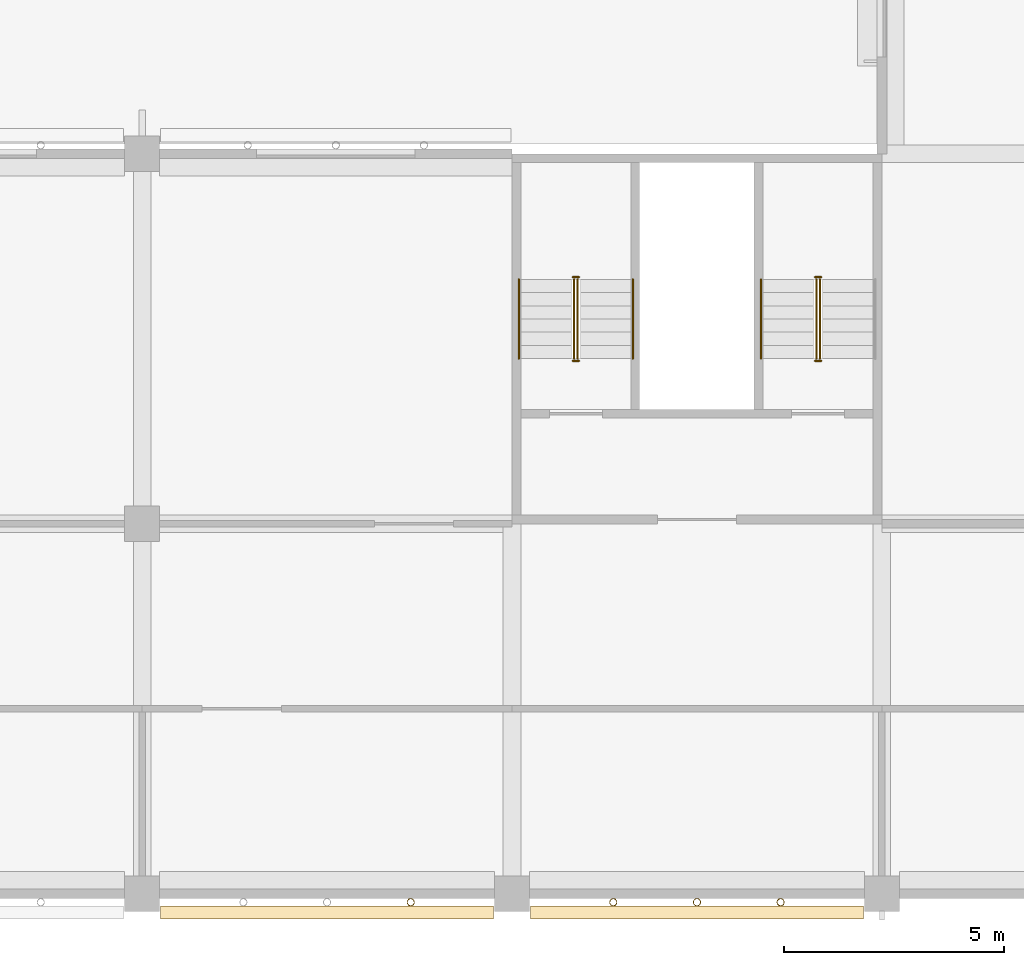
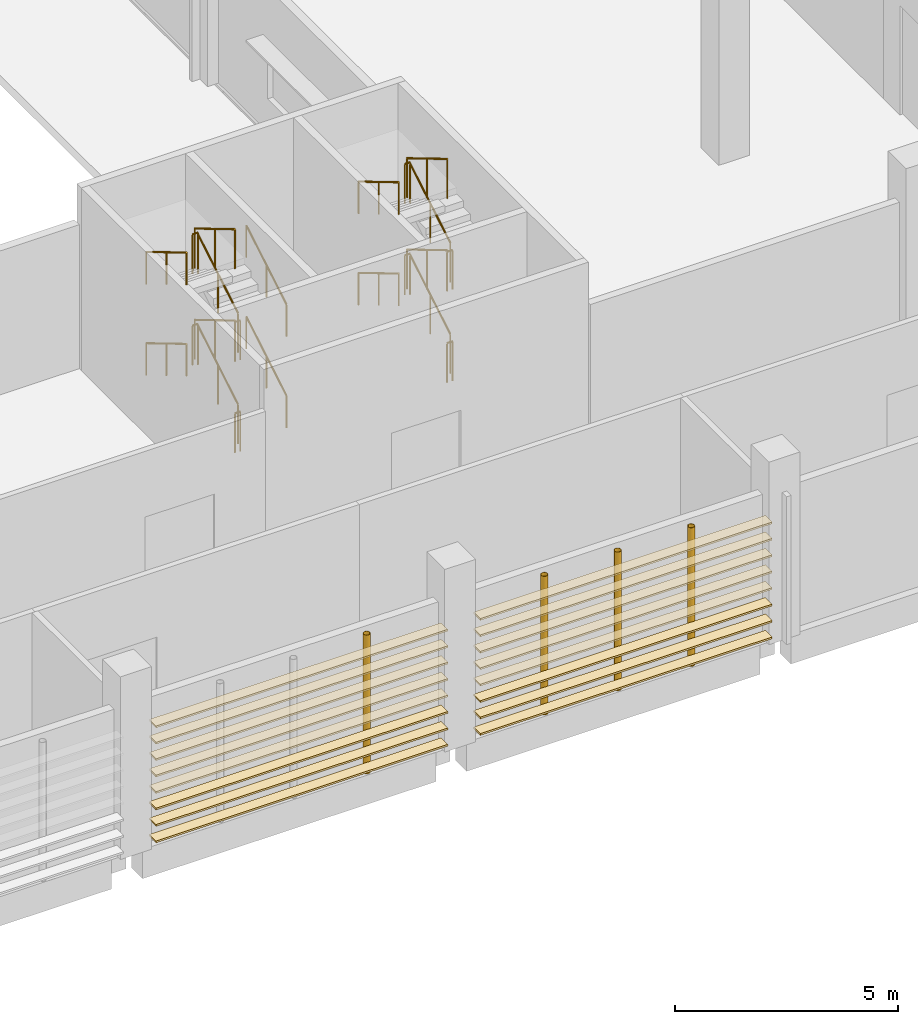
# One storey, part 73 of 101: 22 railings, 16 coverings, 4 shading devices.
"""IFC4 building model written with IfcOpenShell, lengths in metres."""

from ifc_helpers import new_model, si_unit, direction, frame, origin, origin_2d, place, context, subcontext, project, spatial, rectangle, circle, hollow_circle, extrude, material, material_profile, profile_set, type_object, element, save


model = new_model("IFC4")

# Units and contexts
model_context = context("Model", 3, precision=1e-05, world=origin(), true_north=direction((0.0, 1.0)))
body_context = subcontext(model_context, "Body", "Model", "MODEL_VIEW")
ifc_project = project(units=[si_unit("LENGTHUNIT", "METRE"), si_unit("AREAUNIT", "SQUARE_METRE"), si_unit("VOLUMEUNIT", "CUBIC_METRE"), si_unit("PLANEANGLEUNIT", "RADIAN"), si_unit("MASSUNIT", "GRAM", prefix="KILO")], contexts=[model_context])

# Site, building, storey
site_placement = place(None, origin())
site = spatial("IfcSite", under=ifc_project, at=site_placement, CompositionType="ELEMENT")
building_placement = place(site_placement, origin())
building = spatial("IfcBuilding", under=site, at=building_placement, Name="Almond Square Museum", CompositionType="ELEMENT")
storey_placement = place(building_placement, frame((0.0, 0.0, 5.5)))
storey = spatial("IfcBuildingStorey", under=building, at=storey_placement, Name="L01", CompositionType="ELEMENT", Elevation=5.5)

# Shading devices
ifc_material_1 = material(Name="Structural steel S355", Category="steel")
ifc_material_profile_1 = material_profile(ifc_material_1, hollow_circle(Radius=0.084228515625, WallThickness=0.008056640625, at=origin_2d()))
ifc_profile_set_1 = profile_set([ifc_material_profile_1], Name="Structural steel S355")
shading_device_type = type_object("IfcShadingDeviceType", Name="Louvre post CHS 168.3 x 8", PredefinedType="USERDEFINED", material=ifc_profile_set_1)
for number, where, z_axis, x_axis, name in (
    (1, (121.300048828125, -0.194091796875, 0.0), (0.0, 0.0, 1.0), (1.0, 0.0, 0.0), "Louvre screen post"),
    (2, (125.89990234375, -0.194091796875, 0.0), (0.0, 0.0, 1.0), (1.0, 0.0, 0.0), "Louvre screen post"),
    (3, (127.800048828125, -0.194091796875, 0.0), (0.0, 0.0, 1.0), (1.0, 0.0, 0.0), "Louvre screen post"),
    (4, (129.699951171875, -0.194091796875, 0.0), (0.0, 0.0, 1.0), (1.0, 0.0, 0.0), "Louvre screen post"),
):
    element("IfcShadingDevice", number, at=place(storey_placement, frame(where, z_axis=z_axis, x_axis=x_axis)), inside=storey, type_object=shading_device_type, Name=name, ObjectType="POST", PredefinedType="USERDEFINED", context=body_context, shape_type="SweptSolid", body=[
        extrude(hollow_circle(Radius=0.084228515625, WallThickness=0.008056640625, at=origin_2d()), origin(), (0.0, 0.0, 1.0), 3.800048828125),
    ])

# Coverings
ifc_material_2 = material(Name="Cedar timber louvre board", Category="wood")
ifc_material_profile_2 = material_profile(ifc_material_2, rectangle(XDim=0.300048828125, YDim=0.050048828125, at=origin_2d()))
ifc_profile_set_2 = profile_set([ifc_material_profile_2], Name="Cedar timber louvre board")
covering_type = type_object("IfcCoveringType", Name="Louvre screen board 300 x 50", PredefinedType="CLADDING", material=ifc_profile_set_2)
for number, where, z_axis, x_axis, name in (
    (5, (115.6201171875, -0.42431640625, 0.300048828125), (1.0, 0.0, 0.0), (0.0, 1.0, 0.0), "Louvre screen board"),
    (6, (115.6201171875, -0.42431640625, 0.75), (1.0, 0.0, 0.0), (0.0, 1.0, 0.0), "Louvre screen board"),
    (7, (115.6201171875, -0.42431640625, 1.199951171875), (1.0, 0.0, 0.0), (0.0, 1.0, 0.0), "Louvre screen board"),
    (8, (115.6201171875, -0.42431640625, 1.64990234375), (1.0, 0.0, 0.0), (0.0, 1.0, 0.0), "Louvre screen board"),
    (9, (115.6201171875, -0.42431640625, 2.10009765625), (1.0, 0.0, 0.0), (0.0, 1.0, 0.0), "Louvre screen board"),
    (10, (115.6201171875, -0.42431640625, 2.550048828125), (1.0, 0.0, 0.0), (0.0, 1.0, 0.0), "Louvre screen board"),
    (11, (115.6201171875, -0.42431640625, 3.0), (1.0, 0.0, 0.0), (0.0, 1.0, 0.0), "Louvre screen board"),
    (12, (115.6201171875, -0.42431640625, 3.449951171875), (1.0, 0.0, 0.0), (0.0, 1.0, 0.0), "Louvre screen board"),
):
    element("IfcCovering", number, at=place(storey_placement, frame(where, z_axis=z_axis, x_axis=x_axis)), inside=storey, type_object=covering_type, Name=name, PredefinedType="CLADDING", context=body_context, shape_type="SweptSolid", body=[
        extrude(rectangle(XDim=0.300048828125, YDim=0.050048828125, at=origin_2d()), origin(), (0.0, 0.0, 1.0), 7.559814453125),
    ])
for number, where, z_axis, x_axis, name in (
    (13, (124.02001953125, -0.42431640625, 0.300048828125), (1.0, 0.0, 0.0), (0.0, 1.0, 0.0), "Louvre screen board"),
    (14, (124.02001953125, -0.42431640625, 0.75), (1.0, 0.0, 0.0), (0.0, 1.0, 0.0), "Louvre screen board"),
    (15, (124.02001953125, -0.42431640625, 1.199951171875), (1.0, 0.0, 0.0), (0.0, 1.0, 0.0), "Louvre screen board"),
    (16, (124.02001953125, -0.42431640625, 1.64990234375), (1.0, 0.0, 0.0), (0.0, 1.0, 0.0), "Louvre screen board"),
    (17, (124.02001953125, -0.42431640625, 2.10009765625), (1.0, 0.0, 0.0), (0.0, 1.0, 0.0), "Louvre screen board"),
    (18, (124.02001953125, -0.42431640625, 2.550048828125), (1.0, 0.0, 0.0), (0.0, 1.0, 0.0), "Louvre screen board"),
    (19, (124.02001953125, -0.42431640625, 3.0), (1.0, 0.0, 0.0), (0.0, 1.0, 0.0), "Louvre screen board"),
    (20, (124.02001953125, -0.42431640625, 3.449951171875), (1.0, 0.0, 0.0), (0.0, 1.0, 0.0), "Louvre screen board"),
):
    element("IfcCovering", number, at=place(storey_placement, frame(where, z_axis=z_axis, x_axis=x_axis)), inside=storey, type_object=covering_type, Name=name, PredefinedType="CLADDING", context=body_context, shape_type="SweptSolid", body=[
        extrude(rectangle(XDim=0.300048828125, YDim=0.050048828125, at=origin_2d()), origin(), (0.0, 0.0, 1.0), 7.56005859375),
    ])

# Railings
ifc_material_3 = material(Name="Stainless steel and laminated glass", Category="steel")
railing_type_1 = type_object("IfcRailingType", Name="Stair guard 1100 steel and glass", PredefinedType="GUARDRAIL", material=ifc_material_3)
railing_1_placement = place(storey_placement, frame((125.090087890625, 12.14990234375, 0.178466796875)))
element("IfcRailing", 21, at=railing_1_placement, inside=storey, type_object=railing_type_1, Name="L01 ST-31 stair guard 1", PredefinedType="GUARDRAIL", context=body_context, shape_type="SweptSolid", body=[
    extrude(circle(Radius=0.02392578125, at=origin_2d()), frame((0.0, 0.0, 1.076171875), z_axis=(0.0, 0.859277029364, 0.511510495305), x_axis=(-1.0, 0.0, 0.0)), (0.0, 0.0, 1.0), 2.0947265625),
    extrude(circle(Radius=0.02099609375, at=origin_2d()), origin(), (0.0, 0.0, 1.0), 1.052001953125),
    extrude(circle(Radius=0.02099609375, at=origin_2d()), frame((0.0, 0.89990234375, 0.53564453125)), (0.0, 0.0, 1.0), 1.052001953125),
    extrude(circle(Radius=0.02099609375, at=origin_2d()), frame((0.0, 1.800048828125, 1.071533203125)), (0.0, 0.0, 1.0), 1.052001953125),
])
railing_2_placement = place(storey_placement, frame((125.1201171875, 14.0, 1.25)))
element("IfcRailing", 22, at=railing_2_placement, inside=storey, type_object=railing_type_1, Name="L01 ST-31 stair guard 2", PredefinedType="GUARDRAIL", context=body_context, shape_type="SweptSolid", body=[
    extrude(circle(Radius=0.02392578125, at=origin_2d()), frame((0.0, 0.0, 1.076171875), z_axis=(-1.0, 0.0, 0.0), x_axis=(0.0, -1.0, 0.0)), (0.0, 0.0, 1.0), 0.14013671875),
    extrude(circle(Radius=0.02099609375, at=origin_2d()), origin(), (0.0, 0.0, 1.0), 1.052001953125),
    extrude(circle(Radius=0.02099609375, at=origin_2d()), frame((-0.14013671875, 0.0, 0.0)), (0.0, 0.0, 1.0), 1.052001953125),
])
railing_3_placement = place(storey_placement, frame((125.010009765625, 13.949951171875, 1.428466796875)))
element("IfcRailing", 23, at=railing_3_placement, inside=storey, type_object=railing_type_1, Name="L01 ST-31 stair guard 3", PredefinedType="GUARDRAIL", context=body_context, shape_type="SweptSolid", body=[
    extrude(circle(Radius=0.02392578125, at=origin_2d()), frame((0.0, 0.0, 1.076171875), z_axis=(0.0, -0.859277029364, 0.511510495305), x_axis=(1.0, 0.0, 0.0)), (0.0, 0.0, 1.0), 2.0947265625),
    extrude(circle(Radius=0.02099609375, at=origin_2d()), origin(), (0.0, 0.0, 1.0), 1.052001953125),
    extrude(circle(Radius=0.02099609375, at=origin_2d()), frame((0.0, -0.89990234375, 0.53564453125)), (0.0, 0.0, 1.0), 1.052001953125),
    extrude(circle(Radius=0.02099609375, at=origin_2d()), frame((0.0, -1.800048828125, 1.071533203125)), (0.0, 0.0, 1.0), 1.052001953125),
])
railing_4_placement = place(storey_placement, frame((125.1201171875, 12.10009765625, 2.5)))
element("IfcRailing", 24, at=railing_4_placement, inside=storey, type_object=railing_type_1, Name="L01 ST-31 stair guard 4", PredefinedType="GUARDRAIL", context=body_context, shape_type="SweptSolid", body=[
    extrude(circle(Radius=0.02392578125, at=origin_2d()), frame((0.0, 0.0, 1.076171875), z_axis=(-1.0, 0.0, 0.0), x_axis=(0.0, -1.0, 0.0)), (0.0, 0.0, 1.0), 0.14013671875),
    extrude(circle(Radius=0.02099609375, at=origin_2d()), origin(), (0.0, 0.0, 1.0), 1.052001953125),
    extrude(circle(Radius=0.02099609375, at=origin_2d()), frame((-0.14013671875, 0.0, 0.0)), (0.0, 0.0, 1.0), 1.052001953125),
])
railing_5_placement = place(storey_placement, frame((125.090087890625, 12.14990234375, 2.678466796875)))
element("IfcRailing", 25, at=railing_5_placement, inside=storey, type_object=railing_type_1, Name="L01 ST-31 stair guard 5", PredefinedType="GUARDRAIL", context=body_context, shape_type="SweptSolid", body=[
    extrude(circle(Radius=0.02392578125, at=origin_2d()), frame((0.0, 0.0, 1.076171875), z_axis=(0.0, 0.859277029364, 0.511510495305), x_axis=(-1.0, 0.0, 0.0)), (0.0, 0.0, 1.0), 2.0947265625),
    extrude(circle(Radius=0.02099609375, at=origin_2d()), origin(), (0.0, 0.0, 1.0), 1.052001953125),
    extrude(circle(Radius=0.02099609375, at=origin_2d()), frame((0.0, 0.89990234375, 0.53564453125)), (0.0, 0.0, 1.0), 1.052001953125),
    extrude(circle(Radius=0.02099609375, at=origin_2d()), frame((0.0, 1.800048828125, 1.071533203125)), (0.0, 0.0, 1.0), 1.052001953125),
])
railing_6_placement = place(storey_placement, frame((125.1201171875, 14.0, 3.75)))
element("IfcRailing", 26, at=railing_6_placement, inside=storey, type_object=railing_type_1, Name="L01 ST-31 stair guard 6", PredefinedType="GUARDRAIL", context=body_context, shape_type="SweptSolid", body=[
    extrude(circle(Radius=0.02392578125, at=origin_2d()), frame((0.0, 0.0, 1.076171875), z_axis=(-1.0, 0.0, 0.0), x_axis=(0.0, -1.0, 0.0)), (0.0, 0.0, 1.0), 0.14013671875),
    extrude(circle(Radius=0.02099609375, at=origin_2d()), origin(), (0.0, 0.0, 1.0), 1.052001953125),
    extrude(circle(Radius=0.02099609375, at=origin_2d()), frame((-0.14013671875, 0.0, 0.0)), (0.0, 0.0, 1.0), 1.052001953125),
])
railing_7_placement = place(storey_placement, frame((125.010009765625, 13.949951171875, 3.928466796875)))
element("IfcRailing", 27, at=railing_7_placement, inside=storey, type_object=railing_type_1, Name="L01 ST-31 stair guard 7", PredefinedType="GUARDRAIL", context=body_context, shape_type="SweptSolid", body=[
    extrude(circle(Radius=0.02392578125, at=origin_2d()), frame((0.0, 0.0, 1.076171875), z_axis=(0.0, -0.859277029364, 0.511510495305), x_axis=(1.0, 0.0, 0.0)), (0.0, 0.0, 1.0), 2.0947265625),
    extrude(circle(Radius=0.02099609375, at=origin_2d()), origin(), (0.0, 0.0, 1.0), 1.052001953125),
    extrude(circle(Radius=0.02099609375, at=origin_2d()), frame((0.0, -0.89990234375, 0.53564453125)), (0.0, 0.0, 1.0), 1.052001953125),
    extrude(circle(Radius=0.02099609375, at=origin_2d()), frame((0.0, -1.800048828125, 1.071533203125)), (0.0, 0.0, 1.0), 1.052001953125),
])
railing_8_placement = place(storey_placement, frame((125.1201171875, 12.10009765625, 0.0)))
element("IfcRailing", 28, at=railing_8_placement, inside=storey, type_object=railing_type_1, Name="L01 ST-31 stair guard 8", PredefinedType="GUARDRAIL", context=body_context, shape_type="SweptSolid", body=[
    extrude(circle(Radius=0.02392578125, at=origin_2d()), frame((0.0, 0.0, 1.076171875), z_axis=(-1.0, 0.0, 0.0), x_axis=(0.0, -1.0, 0.0)), (0.0, 0.0, 1.0), 0.14013671875),
    extrude(circle(Radius=0.02099609375, at=origin_2d()), origin(), (0.0, 0.0, 1.0), 1.052001953125),
    extrude(circle(Radius=0.02099609375, at=origin_2d()), frame((-0.14013671875, 0.0, 0.0)), (0.0, 0.0, 1.0), 1.052001953125),
])
railing_9_placement = place(storey_placement, frame((130.590087890625, 12.14990234375, 0.178466796875)))
element("IfcRailing", 29, at=railing_9_placement, inside=storey, type_object=railing_type_1, Name="L01 ST-32 stair guard 1", PredefinedType="GUARDRAIL", context=body_context, shape_type="SweptSolid", body=[
    extrude(circle(Radius=0.02392578125, at=origin_2d()), frame((0.0, 0.0, 1.076171875), z_axis=(0.0, 0.859277029364, 0.511510495305), x_axis=(-1.0, 0.0, 0.0)), (0.0, 0.0, 1.0), 2.0947265625),
    extrude(circle(Radius=0.02099609375, at=origin_2d()), origin(), (0.0, 0.0, 1.0), 1.052001953125),
    extrude(circle(Radius=0.02099609375, at=origin_2d()), frame((0.0, 0.89990234375, 0.53564453125)), (0.0, 0.0, 1.0), 1.052001953125),
    extrude(circle(Radius=0.02099609375, at=origin_2d()), frame((0.0, 1.800048828125, 1.071533203125)), (0.0, 0.0, 1.0), 1.052001953125),
])
railing_10_placement = place(storey_placement, frame((130.6201171875, 14.0, 1.25)))
element("IfcRailing", 30, at=railing_10_placement, inside=storey, type_object=railing_type_1, Name="L01 ST-32 stair guard 2", PredefinedType="GUARDRAIL", context=body_context, shape_type="SweptSolid", body=[
    extrude(circle(Radius=0.02392578125, at=origin_2d()), frame((0.0, 0.0, 1.076171875), z_axis=(-1.0, 0.0, 0.0), x_axis=(0.0, -1.0, 0.0)), (0.0, 0.0, 1.0), 0.14013671875),
    extrude(circle(Radius=0.02099609375, at=origin_2d()), origin(), (0.0, 0.0, 1.0), 1.052001953125),
    extrude(circle(Radius=0.02099609375, at=origin_2d()), frame((-0.14013671875, 0.0, 0.0)), (0.0, 0.0, 1.0), 1.052001953125),
])
railing_11_placement = place(storey_placement, frame((130.510009765625, 13.949951171875, 1.428466796875)))
element("IfcRailing", 31, at=railing_11_placement, inside=storey, type_object=railing_type_1, Name="L01 ST-32 stair guard 3", PredefinedType="GUARDRAIL", context=body_context, shape_type="SweptSolid", body=[
    extrude(circle(Radius=0.02392578125, at=origin_2d()), frame((0.0, 0.0, 1.076171875), z_axis=(0.0, -0.859277029364, 0.511510495305), x_axis=(1.0, 0.0, 0.0)), (0.0, 0.0, 1.0), 2.0947265625),
    extrude(circle(Radius=0.02099609375, at=origin_2d()), origin(), (0.0, 0.0, 1.0), 1.052001953125),
    extrude(circle(Radius=0.02099609375, at=origin_2d()), frame((0.0, -0.89990234375, 0.53564453125)), (0.0, 0.0, 1.0), 1.052001953125),
    extrude(circle(Radius=0.02099609375, at=origin_2d()), frame((0.0, -1.800048828125, 1.071533203125)), (0.0, 0.0, 1.0), 1.052001953125),
])
railing_12_placement = place(storey_placement, frame((130.6201171875, 12.10009765625, 2.5)))
element("IfcRailing", 32, at=railing_12_placement, inside=storey, type_object=railing_type_1, Name="L01 ST-32 stair guard 4", PredefinedType="GUARDRAIL", context=body_context, shape_type="SweptSolid", body=[
    extrude(circle(Radius=0.02392578125, at=origin_2d()), frame((0.0, 0.0, 1.076171875), z_axis=(-1.0, 0.0, 0.0), x_axis=(0.0, -1.0, 0.0)), (0.0, 0.0, 1.0), 0.14013671875),
    extrude(circle(Radius=0.02099609375, at=origin_2d()), origin(), (0.0, 0.0, 1.0), 1.052001953125),
    extrude(circle(Radius=0.02099609375, at=origin_2d()), frame((-0.14013671875, 0.0, 0.0)), (0.0, 0.0, 1.0), 1.052001953125),
])
railing_13_placement = place(storey_placement, frame((130.590087890625, 12.14990234375, 2.678466796875)))
element("IfcRailing", 33, at=railing_13_placement, inside=storey, type_object=railing_type_1, Name="L01 ST-32 stair guard 5", PredefinedType="GUARDRAIL", context=body_context, shape_type="SweptSolid", body=[
    extrude(circle(Radius=0.02392578125, at=origin_2d()), frame((0.0, 0.0, 1.076171875), z_axis=(0.0, 0.859277029364, 0.511510495305), x_axis=(-1.0, 0.0, 0.0)), (0.0, 0.0, 1.0), 2.0947265625),
    extrude(circle(Radius=0.02099609375, at=origin_2d()), origin(), (0.0, 0.0, 1.0), 1.052001953125),
    extrude(circle(Radius=0.02099609375, at=origin_2d()), frame((0.0, 0.89990234375, 0.53564453125)), (0.0, 0.0, 1.0), 1.052001953125),
    extrude(circle(Radius=0.02099609375, at=origin_2d()), frame((0.0, 1.800048828125, 1.071533203125)), (0.0, 0.0, 1.0), 1.052001953125),
])
railing_14_placement = place(storey_placement, frame((130.6201171875, 14.0, 3.75)))
element("IfcRailing", 34, at=railing_14_placement, inside=storey, type_object=railing_type_1, Name="L01 ST-32 stair guard 6", PredefinedType="GUARDRAIL", context=body_context, shape_type="SweptSolid", body=[
    extrude(circle(Radius=0.02392578125, at=origin_2d()), frame((0.0, 0.0, 1.076171875), z_axis=(-1.0, 0.0, 0.0), x_axis=(0.0, -1.0, 0.0)), (0.0, 0.0, 1.0), 0.14013671875),
    extrude(circle(Radius=0.02099609375, at=origin_2d()), origin(), (0.0, 0.0, 1.0), 1.052001953125),
    extrude(circle(Radius=0.02099609375, at=origin_2d()), frame((-0.14013671875, 0.0, 0.0)), (0.0, 0.0, 1.0), 1.052001953125),
])
railing_15_placement = place(storey_placement, frame((130.510009765625, 13.949951171875, 3.928466796875)))
element("IfcRailing", 35, at=railing_15_placement, inside=storey, type_object=railing_type_1, Name="L01 ST-32 stair guard 7", PredefinedType="GUARDRAIL", context=body_context, shape_type="SweptSolid", body=[
    extrude(circle(Radius=0.02392578125, at=origin_2d()), frame((0.0, 0.0, 1.076171875), z_axis=(0.0, -0.859277029364, 0.511510495305), x_axis=(1.0, 0.0, 0.0)), (0.0, 0.0, 1.0), 2.0947265625),
    extrude(circle(Radius=0.02099609375, at=origin_2d()), origin(), (0.0, 0.0, 1.0), 1.052001953125),
    extrude(circle(Radius=0.02099609375, at=origin_2d()), frame((0.0, -0.89990234375, 0.53564453125)), (0.0, 0.0, 1.0), 1.052001953125),
    extrude(circle(Radius=0.02099609375, at=origin_2d()), frame((0.0, -1.800048828125, 1.071533203125)), (0.0, 0.0, 1.0), 1.052001953125),
])
railing_16_placement = place(storey_placement, frame((130.6201171875, 12.10009765625, 0.0)))
element("IfcRailing", 36, at=railing_16_placement, inside=storey, type_object=railing_type_1, Name="L01 ST-32 stair guard 8", PredefinedType="GUARDRAIL", context=body_context, shape_type="SweptSolid", body=[
    extrude(circle(Radius=0.02392578125, at=origin_2d()), frame((0.0, 0.0, 1.076171875), z_axis=(-1.0, 0.0, 0.0), x_axis=(0.0, -1.0, 0.0)), (0.0, 0.0, 1.0), 0.14013671875),
    extrude(circle(Radius=0.02099609375, at=origin_2d()), origin(), (0.0, 0.0, 1.0), 1.052001953125),
    extrude(circle(Radius=0.02099609375, at=origin_2d()), frame((-0.14013671875, 0.0, 0.0)), (0.0, 0.0, 1.0), 1.052001953125),
])
ifc_material_4 = material(Name="Stainless steel", Category="steel")
railing_type_2 = type_object("IfcRailingType", Name="Stair handrail 900 steel", PredefinedType="HANDRAIL", material=ifc_material_4)
railing_17_placement = place(storey_placement, frame((126.344970703125, 12.14990234375, 0.178466796875)))
element("IfcRailing", 37, at=railing_17_placement, inside=storey, type_object=railing_type_2, Name="L01 ST-31 stair handrail 1", PredefinedType="HANDRAIL", context=body_context, shape_type="SweptSolid", body=[
    extrude(circle(Radius=0.02392578125, at=origin_2d()), frame((0.0, 0.0, 0.8759765625), z_axis=(0.0, 0.859277029364, 0.511510495305), x_axis=(-1.0, 0.0, 0.0)), (0.0, 0.0, 1.0), 2.0947265625),
    extrude(circle(Radius=0.02099609375, at=origin_2d()), origin(), (0.0, 0.0, 1.0), 0.851806640625),
    extrude(circle(Radius=0.02099609375, at=origin_2d()), frame((0.0, 0.89990234375, 0.53564453125)), (0.0, 0.0, 1.0), 0.851806640625),
    extrude(circle(Radius=0.02099609375, at=origin_2d()), frame((0.0, 1.800048828125, 1.071533203125)), (0.0, 0.0, 1.0), 0.851806640625),
])
railing_18_placement = place(storey_placement, frame((123.7548828125, 13.949951171875, 1.428466796875)))
element("IfcRailing", 38, at=railing_18_placement, inside=storey, type_object=railing_type_2, Name="L01 ST-31 stair handrail 2", PredefinedType="HANDRAIL", context=body_context, shape_type="SweptSolid", body=[
    extrude(circle(Radius=0.02392578125, at=origin_2d()), frame((0.0, 0.0, 0.8759765625), z_axis=(0.0, -0.859277029364, 0.511510495305), x_axis=(1.0, 0.0, 0.0)), (0.0, 0.0, 1.0), 2.0947265625),
    extrude(circle(Radius=0.02099609375, at=origin_2d()), origin(), (0.0, 0.0, 1.0), 0.851806640625),
    extrude(circle(Radius=0.02099609375, at=origin_2d()), frame((0.0, -0.89990234375, 0.53564453125)), (0.0, 0.0, 1.0), 0.851806640625),
    extrude(circle(Radius=0.02099609375, at=origin_2d()), frame((0.0, -1.800048828125, 1.071533203125)), (0.0, 0.0, 1.0), 0.851806640625),
])
railing_19_placement = place(storey_placement, frame((126.344970703125, 12.14990234375, 2.678466796875)))
element("IfcRailing", 39, at=railing_19_placement, inside=storey, type_object=railing_type_2, Name="L01 ST-31 stair handrail 3", PredefinedType="HANDRAIL", context=body_context, shape_type="SweptSolid", body=[
    extrude(circle(Radius=0.02392578125, at=origin_2d()), frame((0.0, 0.0, 0.8759765625), z_axis=(0.0, 0.859277029364, 0.511510495305), x_axis=(-1.0, 0.0, 0.0)), (0.0, 0.0, 1.0), 2.0947265625),
    extrude(circle(Radius=0.02099609375, at=origin_2d()), origin(), (0.0, 0.0, 1.0), 0.851806640625),
    extrude(circle(Radius=0.02099609375, at=origin_2d()), frame((0.0, 0.89990234375, 0.53564453125)), (0.0, 0.0, 1.0), 0.851806640625),
    extrude(circle(Radius=0.02099609375, at=origin_2d()), frame((0.0, 1.800048828125, 1.071533203125)), (0.0, 0.0, 1.0), 0.851806640625),
])
for number, where, name in (
    (40, (123.7548828125, 13.949951171875, 3.928466796875), "L01 ST-31 stair handrail 4"),
    (41, (129.2548828125, 13.949951171875, 1.428466796875), "L01 ST-32 stair handrail 2"),
    (42, (129.2548828125, 13.949951171875, 3.928466796875), "L01 ST-32 stair handrail 4"),
):
    element("IfcRailing", number, at=place(storey_placement, frame(where)), inside=storey, type_object=railing_type_2, Name=name, PredefinedType="HANDRAIL", context=body_context, shape_type="SweptSolid", body=[
        extrude(circle(Radius=0.02392578125, at=origin_2d()), frame((0.0, 0.0, 0.8759765625), z_axis=(0.0, -0.859277029364, 0.511510495305), x_axis=(1.0, 0.0, 0.0)), (0.0, 0.0, 1.0), 2.0947265625),
        extrude(circle(Radius=0.02099609375, at=origin_2d()), origin(), (0.0, 0.0, 1.0), 0.851806640625),
        extrude(circle(Radius=0.02099609375, at=origin_2d()), frame((0.0, -0.89990234375, 0.53564453125)), (0.0, 0.0, 1.0), 0.851806640625),
        extrude(circle(Radius=0.02099609375, at=origin_2d()), frame((0.0, -1.800048828125, 1.071533203125)), (0.0, 0.0, 1.0), 0.851806640625),
    ])

save(model, "model.ifc")
